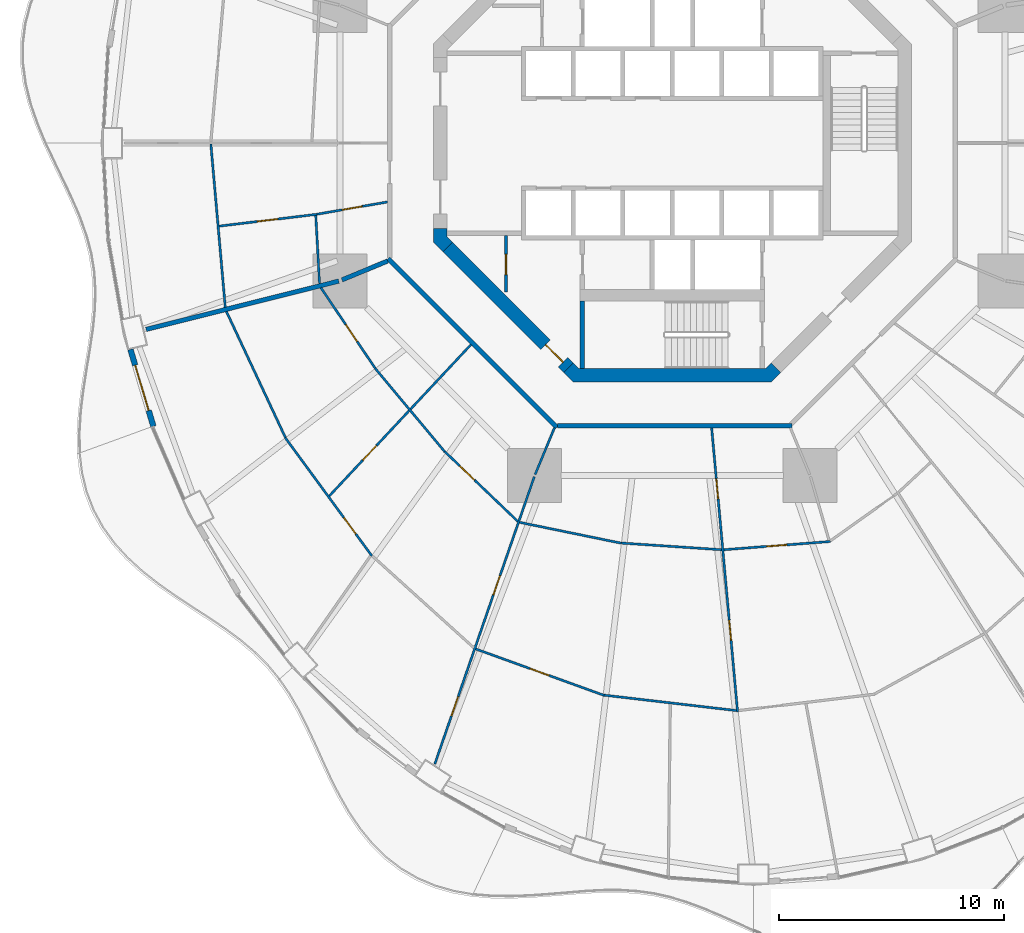
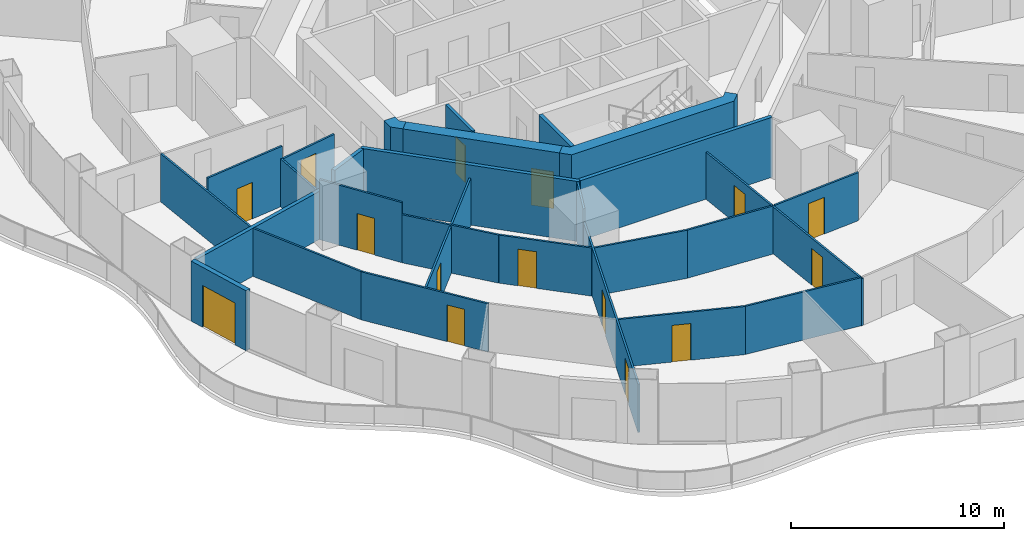
# One storey, part 13 of 21: 28 walls, 15 doors, 15 openings.
"""IFC4 building model written with IfcOpenShell, lengths in metres."""

from ifc_helpers import new_model, si_unit, direction, frame, frame_2d, origin, place, context, subcontext, project, spatial, polyline, rectangle, outline, extrude, material, layer, layer_set, type_object, element, fill, save


model = new_model("IFC4")

# Units and contexts
model_context = context("Model", 3, precision=1e-05, world=origin(), true_north=direction((0.0, 1.0)))
body_context = subcontext(model_context, "Body", "Model", "MODEL_VIEW")
ifc_project = project(units=[si_unit("LENGTHUNIT", "METRE"), si_unit("AREAUNIT", "SQUARE_METRE"), si_unit("VOLUMEUNIT", "CUBIC_METRE"), si_unit("PLANEANGLEUNIT", "RADIAN"), si_unit("MASSUNIT", "GRAM", prefix="KILO")], contexts=[model_context])

# Site, building, storey
site_placement = place(None, origin())
site = spatial("IfcSite", under=ifc_project, at=site_placement, CompositionType="ELEMENT")
building_placement = place(site_placement, origin())
building = spatial("IfcBuilding", under=site, at=building_placement, Name="Nagisa Residences", CompositionType="ELEMENT")
storey_placement = place(building_placement, frame((0.0, 0.0, 60.300048828125)))
storey = spatial("IfcBuildingStorey", under=building, at=storey_placement, Name="L14", CompositionType="ELEMENT", Elevation=60.300048828125)

# Walls
ifc_material_1 = material(Name="Gypsum board on steel studs", Category="steel")
ifc_layer_1 = layer(ifc_material_1, 0.199951171875)
ifc_layer_set_1 = layer_set([ifc_layer_1], Name="Apartment compartment wall EI60 200")
wall_type_1 = type_object("IfcWallType", Name="Apartment compartment wall EI60 200", PredefinedType="PARTITIONING", material=ifc_layer_set_1)
wall_1_placement = place(storey_placement, frame((-12.6572265625, -5.24267578125, 0.0), z_axis=(0.0, 0.0, 1.0), x_axis=(-0.923885664896, -0.382668627144, 0.0)))
element("IfcWall", 1, at=wall_1_placement, inside=storey, type_object=wall_type_1, Name="wall:L14:u04", PredefinedType="PARTITIONING", context=body_context, shape_type="SweptSolid", body=[
    extrude(rectangle(XDim=2.200439453125, YDim=0.199951171875, at=frame_2d((1.10009765625, 0.0))), origin(), (0.0, 0.0, 1.0), 3.43994140625),
])
wall_2_placement = place(storey_placement, frame((-14.83056640625, -6.135009765625, 0.0), z_axis=(0.0, 0.0, 1.0), x_axis=(-0.969884949569, -0.243563512454, 0.0)))
element("IfcWall", 2, at=wall_2_placement, inside=storey, type_object=wall_type_1, Name="wall:L14:u05", PredefinedType="PARTITIONING", context=body_context, shape_type="SweptSolid", body=[
    extrude(rectangle(XDim=8.828857421875, YDim=0.199951171875, at=frame_2d((4.41455078125, 0.0))), origin(), (0.0, 0.0, 1.0), 2.755859375),
])
ifc_material_2 = material(Name="Gypsum board on steel studs", Category="steel")
ifc_layer_2 = layer(ifc_material_2, 0.199951171875)
ifc_layer_set_2 = layer_set([ifc_layer_2], Name="Apartment entry wall EI60 200")
wall_type_2 = type_object("IfcWallType", Name="Apartment entry wall EI60 200", PredefinedType="PARTITIONING", material=ifc_layer_set_2)
wall_3_placement = place(storey_placement, frame((-12.635498046875, -5.1337890625, 0.0), z_axis=(0.0, 0.0, 1.0), x_axis=(0.707106781187, -0.707106781187, 0.0)))
element("IfcWall", 3, at=wall_3_placement, inside=storey, type_object=wall_type_2, Name="wall:L14:u11", PredefinedType="PARTITIONING", context=body_context, shape_type="SweptSolid", body=[
    extrude(rectangle(XDim=10.609130859375, YDim=0.199951171875, at=frame_2d((5.3046875, 0.0))), origin(), (0.0, 0.0, 1.0), 3.43994140625),
])
wall_4_placement = place(storey_placement, frame((-5.1044921875, -12.564697265625, 0.0), z_axis=(0.0, 0.0, 1.0), x_axis=(1.0, 0.0, 0.0)))
element("IfcWall", 4, at=wall_4_placement, inside=storey, type_object=wall_type_2, Name="wall:L14:u12", PredefinedType="PARTITIONING", context=body_context, shape_type="SweptSolid", body=[
    extrude(rectangle(XDim=10.408935546875, YDim=0.199951171875, at=frame_2d((5.20458984375, 0.0))), origin(), (0.0, 0.0, 1.0), 3.43994140625),
])
ifc_material_3 = material(Name="Gypsum board on steel studs", Category="steel")
ifc_layer_3 = layer(ifc_material_3, 0.10009765625)
ifc_layer_set_3 = layer_set([ifc_layer_3], Name="Apartment partition 100")
wall_type_3 = type_object("IfcWallType", Name="Apartment partition 100", PredefinedType="PARTITIONING", material=ifc_layer_set_3)
wall_5_placement = place(storey_placement, frame((-20.518310546875, -0.0498046875, 0.0), z_axis=(0.0, 0.0, 1.0), x_axis=(0.088143415068, -0.996107794558, 0.0)))
element("IfcWall", 5, at=wall_5_placement, inside=storey, type_object=wall_type_3, Name="wall:L14:u55", PredefinedType="PARTITIONING", context=body_context, shape_type="SweptSolid", body=[
    extrude(rectangle(XDim=7.279052734375, YDim=0.10009765625, at=frame_2d((3.6396484375, 0.0))), origin(), (0.0, 0.0, 1.0), 2.755859375),
])

# Wall, opening, door
wall_6_placement = place(storey_placement, frame((-12.663330078125, -2.619384765625, 0.0), z_axis=(0.0, 0.0, 1.0), x_axis=(-0.985220176102, -0.171292745325, 0.0)))
wall_6 = element("IfcWall", 6, at=wall_6_placement, inside=storey, type_object=wall_type_3, Name="wall:L14:u56", PredefinedType="PARTITIONING", context=body_context, shape_type="SweptSolid", body=[
    extrude(rectangle(XDim=3.191162109375, YDim=0.10009765625, at=frame_2d((1.595703125, 0.0))), origin(), (0.0, 0.0, 1.0), 2.68701171875),
])
opening_1_placement = place(wall_6_placement, frame((1.1455078125, 0.0, 0.0)))
opening_1 = element("IfcOpeningElement", 7, at=opening_1_placement, cuts=wall_6, Name="Opening L14-U44", PredefinedType="OPENING", context=body_context, shape_type="SweptSolid", body=[
    extrude(rectangle(XDim=0.89990234375, YDim=2.10009765625, at=frame_2d((0.449951171875, 1.050048828125))), frame((0.0, 0.06005859375, 0.0), z_axis=(0.0, -1.0, 0.0), x_axis=(1.0, 0.0, 0.0)), (0.0, 0.0, 1.0), 0.1201171875),
])
ifc_material_4 = material(Name="Timber door set", Category="wood")
door_type_1 = type_object("IfcDoorType", Name="Apartment door 900x2100", OperationType="NOTDEFINED", PredefinedType="DOOR", material=ifc_material_4)
door_1_placement = place(opening_1_placement, origin())
door_1 = element("IfcDoor", 8, at=door_1_placement, inside=storey, type_object=door_type_1, Name="Door to family bathroom, Apartment 14C", OperationType="SINGLE_SWING_RIGHT", OverallHeight=2.10009765625, OverallWidth=0.89990234375, PredefinedType="DOOR", context=body_context, shape_type="SweptSolid", body=[
    extrude(rectangle(XDim=0.89990234375, YDim=2.10009765625, at=frame_2d((0.449951171875, 1.050048828125))), frame((0.0, 0.02490234375, 0.0), z_axis=(0.0, -1.0, 0.0), x_axis=(1.0, 0.0, 0.0)), (0.0, 0.0, 1.0), 0.050048828125),
])
fill(opening_1, door_1)

wall_7_placement = place(storey_placement, frame((-15.806884765625, -3.16845703125, 0.0), z_axis=(0.0, 0.0, 1.0), x_axis=(-0.992741666002, -0.120266306938, 0.0)))
wall_7 = element("IfcWall", 9, at=wall_7_placement, inside=storey, type_object=wall_type_3, Name="wall:L14:u57", PredefinedType="PARTITIONING", context=body_context, shape_type="SweptSolid", body=[
    extrude(rectangle(XDim=4.37060546875, YDim=0.10009765625, at=frame_2d((2.185302734375, 0.0))), origin(), (0.0, 0.0, 1.0), 3.43994140625),
])
opening_2_placement = place(wall_7_placement, frame((1.76025390625, 0.0, 0.0)))
opening_2 = element("IfcOpeningElement", 10, at=opening_2_placement, cuts=wall_7, Name="Opening L14-U46", PredefinedType="OPENING", context=body_context, shape_type="SweptSolid", body=[
    extrude(rectangle(XDim=0.89990234375, YDim=2.10009765625, at=frame_2d((0.449951171875, 1.050048828125))), frame((0.0, 0.06005859375, 0.0), z_axis=(0.0, -1.0, 0.0), x_axis=(1.0, 0.0, 0.0)), (0.0, 0.0, 1.0), 0.1201171875),
])
door_2_placement = place(opening_2_placement, origin())
door_2 = element("IfcDoor", 11, at=door_2_placement, inside=storey, type_object=door_type_1, Name="Door to family bathroom, Apartment 14C", OperationType="SINGLE_SWING_RIGHT", OverallHeight=2.10009765625, OverallWidth=0.89990234375, PredefinedType="DOOR", context=body_context, shape_type="SweptSolid", body=[
    extrude(rectangle(XDim=0.89990234375, YDim=2.10009765625, at=frame_2d((0.449951171875, 1.050048828125))), frame((0.0, 0.02490234375, 0.0), z_axis=(0.0, -1.0, 0.0), x_axis=(1.0, 0.0, 0.0)), (0.0, 0.0, 1.0), 0.050048828125),
])
fill(opening_2, door_2)

# Wall
wall_8_placement = place(storey_placement, frame((-15.853759765625, -3.224609375, 0.0), z_axis=(0.0, 0.0, 1.0), x_axis=(0.054644199943, -0.998505889523, 0.0)))
element("IfcWall", 12, at=wall_8_placement, inside=storey, type_object=wall_type_3, Name="wall:L14:u58", PredefinedType="PARTITIONING", context=body_context, shape_type="SweptSolid", body=[
    extrude(rectangle(XDim=3.029296875, YDim=0.10009765625, at=frame_2d((1.5146484375, 0.0))), origin(), (0.0, 0.0, 1.0), 2.755859375),
])

# Wall, opening, door
wall_9_placement = place(storey_placement, frame((-15.626953125, -6.43212890625, 0.0), z_axis=(0.0, 0.0, 1.0), x_axis=(0.559112679527, -0.829091678641, 0.0)))
wall_9 = element("IfcWall", 13, at=wall_9_placement, inside=storey, type_object=wall_type_3, Name="wall:L14:u59", PredefinedType="PARTITIONING", context=body_context, shape_type="SweptSolid", body=[
    extrude(rectangle(XDim=4.30810546875, YDim=0.10009765625, at=frame_2d((2.154052734375, 0.0))), origin(), (0.0, 0.0, 1.0), 3.43994140625),
])
opening_3_placement = place(wall_9_placement, frame((1.974853515625, 0.0, 0.0)))
opening_3 = element("IfcOpeningElement", 14, at=opening_3_placement, cuts=wall_9, Name="Opening L14-U26", PredefinedType="OPENING", context=body_context, shape_type="SweptSolid", body=[
    extrude(rectangle(XDim=0.89990234375, YDim=2.10009765625, at=frame_2d((0.449951171875, 1.050048828125))), frame((0.0, 0.06005859375, 0.0), z_axis=(0.0, -1.0, 0.0), x_axis=(1.0, 0.0, 0.0)), (0.0, 0.0, 1.0), 0.1201171875),
])
door_3_placement = place(opening_3_placement, origin())
door_3 = element("IfcDoor", 15, at=door_3_placement, inside=storey, type_object=door_type_1, Name="Door to laundry, Apartment 14A", OperationType="SINGLE_SWING_RIGHT", OverallHeight=2.10009765625, OverallWidth=0.89990234375, PredefinedType="DOOR", context=body_context, shape_type="SweptSolid", body=[
    extrude(rectangle(XDim=0.89990234375, YDim=2.10009765625, at=frame_2d((0.449951171875, 1.050048828125))), frame((0.0, 0.02490234375, 0.0), z_axis=(0.0, -1.0, 0.0), x_axis=(1.0, 0.0, 0.0)), (0.0, 0.0, 1.0), 0.050048828125),
])
fill(opening_3, door_3)

# Walls
wall_10_placement = place(storey_placement, frame((-19.82568359375, -7.49072265625, 0.0), z_axis=(0.0, 0.0, 1.0), x_axis=(0.423926333401, -0.905696673202, 0.0)))
element("IfcWall", 16, at=wall_10_placement, inside=storey, type_object=wall_type_3, Name="wall:L14:u60", PredefinedType="PARTITIONING", context=body_context, shape_type="SweptSolid", body=[
    extrude(rectangle(XDim=6.1875, YDim=0.10009765625, at=frame_2d((3.09375, 0.0))), origin(), (0.0, 0.0, 1.0), 2.755859375),
])
wall_11_placement = place(storey_placement, frame((-13.222412109375, -10.0068359375, 0.0), z_axis=(0.0, 0.0, 1.0), x_axis=(0.64083455704, -0.767679015282, 0.0)))
element("IfcWall", 17, at=wall_11_placement, inside=storey, type_object=wall_type_3, Name="wall:L14:u61", PredefinedType="PARTITIONING", context=body_context, shape_type="SweptSolid", body=[
    extrude(rectangle(XDim=4.8369140625, YDim=0.10009765625, at=frame_2d((2.41845703125, 0.0))), origin(), (0.0, 0.0, 1.0), 2.755859375),
])

# Wall, opening, door
wall_12_placement = place(storey_placement, frame((-17.2109375, -13.099609375, 0.0), z_axis=(0.0, 0.0, 1.0), x_axis=(0.591191311491, -0.806531359104, 0.0)))
wall_12 = element("IfcWall", 18, at=wall_12_placement, inside=storey, type_object=wall_type_3, Name="wall:L14:u62", PredefinedType="PARTITIONING", context=body_context, shape_type="SweptSolid", body=[
    extrude(rectangle(XDim=6.510009765625, YDim=0.10009765625, at=frame_2d((3.2548828125, 0.0))), origin(), (0.0, 0.0, 1.0), 2.755859375),
])
opening_4_placement = place(wall_12_placement, frame((4.407470703125, 0.0, 0.0)))
opening_4 = element("IfcOpeningElement", 19, at=opening_4_placement, cuts=wall_12, Name="Opening L14-U22", PredefinedType="OPENING", context=body_context, shape_type="SweptSolid", body=[
    extrude(rectangle(XDim=0.89990234375, YDim=2.10009765625, at=frame_2d((0.449951171875, 1.050048828125))), frame((0.0, 0.06005859375, 0.0), z_axis=(0.0, -1.0, 0.0), x_axis=(1.0, 0.0, 0.0)), (0.0, 0.0, 1.0), 0.1201171875),
])
door_4_placement = place(opening_4_placement, frame((0.89990234375, 0.0, 0.0), x_axis=(-1.0, 0.0, 0.0)))
door_4 = element("IfcDoor", 20, at=door_4_placement, inside=storey, type_object=door_type_1, Name="Door to family room, Apartment 14A", OperationType="SINGLE_SWING_LEFT", OverallHeight=2.10009765625, OverallWidth=0.89990234375, PredefinedType="DOOR", context=body_context, shape_type="SweptSolid", body=[
    extrude(rectangle(XDim=0.89990234375, YDim=2.10009765625, at=frame_2d((0.449951171875, 1.050048828125))), frame((0.0, 0.02490234375, 0.0), z_axis=(0.0, -1.0, 0.0), x_axis=(1.0, 0.0, 0.0)), (0.0, 0.0, 1.0), 0.050048828125),
])
fill(opening_4, door_4)

wall_13_placement = place(storey_placement, frame((-8.952880859375, -8.95751953125, 0.0), z_axis=(0.0, 0.0, 1.0), x_axis=(-0.683322485948, -0.730116689439, 0.0)))
wall_13 = element("IfcWall", 21, at=wall_13_placement, inside=storey, type_object=wall_type_3, Name="wall:L14:u63", PredefinedType="PARTITIONING", context=body_context, shape_type="SweptSolid", body=[
    extrude(rectangle(XDim=9.218994140625, YDim=0.10009765625, at=frame_2d((4.609375, 0.0))), origin(), (0.0, 0.0, 1.0), 2.68701171875),
])
opening_5_placement = place(wall_13_placement, frame((6.1494140625, 0.0, 0.0)))
opening_5 = element("IfcOpeningElement", 22, at=opening_5_placement, cuts=wall_13, Name="Opening L14-U25", PredefinedType="OPENING", context=body_context, shape_type="SweptSolid", body=[
    extrude(rectangle(XDim=0.89990234375, YDim=2.10009765625, at=frame_2d((0.449951171875, 1.050048828125))), frame((0.0, 0.06005859375, 0.0), z_axis=(0.0, -1.0, 0.0), x_axis=(1.0, 0.0, 0.0)), (0.0, 0.0, 1.0), 0.1201171875),
])
door_5_placement = place(opening_5_placement, frame((0.89990234375, 0.0, 0.0), x_axis=(-1.0, 0.0, 0.0)))
door_5 = element("IfcDoor", 23, at=door_5_placement, inside=storey, type_object=door_type_1, Name="Door to kitchen, Apartment 14A", OperationType="SINGLE_SWING_RIGHT", OverallHeight=2.10009765625, OverallWidth=0.89990234375, PredefinedType="DOOR", context=body_context, shape_type="SweptSolid", body=[
    extrude(rectangle(XDim=0.89990234375, YDim=2.10009765625, at=frame_2d((0.449951171875, 1.050048828125))), frame((0.0, 0.02490234375, 0.0), z_axis=(0.0, -1.0, 0.0), x_axis=(1.0, 0.0, 0.0)), (0.0, 0.0, 1.0), 0.050048828125),
])
fill(opening_5, door_5)

wall_14_placement = place(storey_placement, frame((-10.118896484375, -13.716064453125, 0.0), z_axis=(0.0, 0.0, 1.0), x_axis=(0.722762371977, -0.691096631199, 0.0)))
wall_14 = element("IfcWall", 24, at=wall_14_placement, inside=storey, type_object=wall_type_3, Name="wall:L14:u64", PredefinedType="PARTITIONING", context=body_context, shape_type="SweptSolid", body=[
    extrude(rectangle(XDim=4.487060546875, YDim=0.10009765625, at=frame_2d((2.24365234375, 0.0))), origin(), (0.0, 0.0, 1.0), 2.755859375),
])
opening_6_placement = place(wall_14_placement, frame((0.927490234375, 0.0, 0.0)))
opening_6 = element("IfcOpeningElement", 25, at=opening_6_placement, cuts=wall_14, Name="Opening L14-U24", PredefinedType="OPENING", context=body_context, shape_type="SweptSolid", body=[
    extrude(rectangle(XDim=0.89990234375, YDim=2.10009765625, at=frame_2d((0.449951171875, 1.050048828125))), frame((0.0, 0.06005859375, 0.0), z_axis=(0.0, -1.0, 0.0), x_axis=(1.0, 0.0, 0.0)), (0.0, 0.0, 1.0), 0.1201171875),
])
door_6_placement = place(opening_6_placement, origin())
door_6 = element("IfcDoor", 26, at=door_6_placement, inside=storey, type_object=door_type_1, Name="Door to store, Apartment 14A", OperationType="SINGLE_SWING_RIGHT", OverallHeight=2.10009765625, OverallWidth=0.89990234375, PredefinedType="DOOR", context=body_context, shape_type="SweptSolid", body=[
    extrude(rectangle(XDim=0.89990234375, YDim=2.10009765625, at=frame_2d((0.449951171875, 1.050048828125))), frame((0.0, 0.02490234375, 0.0), z_axis=(0.0, -1.0, 0.0), x_axis=(1.0, 0.0, 0.0)), (0.0, 0.0, 1.0), 0.050048828125),
])
fill(opening_6, door_6)

# Wall
wall_15_placement = place(storey_placement, frame((-5.24267578125, -12.6572265625, 0.0), z_axis=(0.0, 0.0, 1.0), x_axis=(-0.382719158442, -0.923864733477, 0.0)))
element("IfcWall", 27, at=wall_15_placement, inside=storey, type_object=wall_type_3, Name="wall:L14:u67", PredefinedType="PARTITIONING", context=body_context, shape_type="SweptSolid", body=[
    extrude(rectangle(XDim=2.25, YDim=0.10009765625, at=frame_2d((1.125, 0.0))), origin(), (0.0, 0.0, 1.0), 3.43994140625),
])

# Wall, openings, doors
wall_16_placement = place(storey_placement, frame((-6.139404296875, -14.829345703125, 0.0), z_axis=(0.0, 0.0, 1.0), x_axis=(-0.327178799566, -0.944962450637, 0.0)))
wall_16 = element("IfcWall", 28, at=wall_16_placement, inside=storey, type_object=wall_type_3, Name="wall:L14:u68", PredefinedType="PARTITIONING", context=body_context, shape_type="SweptSolid", body=[
    extrude(rectangle(XDim=13.517333984375, YDim=0.10009765625, at=frame_2d((6.7587890625, 0.0))), origin(), (0.0, 0.0, 1.0), 2.755859375),
])
opening_7_placement = place(wall_16_placement, frame((4.665283203125, 0.0, 0.0)))
opening_7 = element("IfcOpeningElement", 29, at=opening_7_placement, cuts=wall_16, Name="Opening L14-U21", PredefinedType="OPENING", context=body_context, shape_type="SweptSolid", body=[
    extrude(rectangle(XDim=0.89990234375, YDim=2.10009765625, at=frame_2d((0.449951171875, 1.050048828125))), frame((0.0, 0.06005859375, 0.0), z_axis=(0.0, -1.0, 0.0), x_axis=(1.0, 0.0, 0.0)), (0.0, 0.0, 1.0), 0.1201171875),
])
opening_8_placement = place(wall_16_placement, frame((10.35400390625, 0.0, 0.0)))
opening_8 = element("IfcOpeningElement", 30, at=opening_8_placement, cuts=wall_16, Name="Opening L14-U23", PredefinedType="OPENING", context=body_context, shape_type="SweptSolid", body=[
    extrude(rectangle(XDim=0.89990234375, YDim=2.10009765625, at=frame_2d((0.449951171875, 1.050048828125))), frame((0.0, 0.06005859375, 0.0), z_axis=(0.0, -1.0, 0.0), x_axis=(1.0, 0.0, 0.0)), (0.0, 0.0, 1.0), 0.1201171875),
])
door_7_placement = place(opening_7_placement, frame((0.89990234375, 0.0, 0.0), x_axis=(-1.0, 0.0, 0.0)))
door_7 = element("IfcDoor", 31, at=door_7_placement, inside=storey, type_object=door_type_1, Name="Door to dining room, Apartment 14A", OperationType="SINGLE_SWING_RIGHT", OverallHeight=2.10009765625, OverallWidth=0.89990234375, PredefinedType="DOOR", context=body_context, shape_type="SweptSolid", body=[
    extrude(rectangle(XDim=0.89990234375, YDim=2.10009765625, at=frame_2d((0.449951171875, 1.050048828125))), frame((0.0, 0.02490234375, 0.0), z_axis=(0.0, -1.0, 0.0), x_axis=(1.0, 0.0, 0.0)), (0.0, 0.0, 1.0), 0.050048828125),
])
fill(opening_7, door_7)
door_8_placement = place(opening_8_placement, frame((0.89990234375, 0.0, 0.0), x_axis=(-1.0, 0.0, 0.0)))
door_8 = element("IfcDoor", 32, at=door_8_placement, inside=storey, type_object=door_type_1, Name="Door to master bedroom, Apartment 14A", OperationType="SINGLE_SWING_RIGHT", OverallHeight=2.10009765625, OverallWidth=0.89990234375, PredefinedType="DOOR", context=body_context, shape_type="SweptSolid", body=[
    extrude(rectangle(XDim=0.89990234375, YDim=2.10009765625, at=frame_2d((0.449951171875, 1.050048828125))), frame((0.0, 0.02490234375, 0.0), z_axis=(0.0, -1.0, 0.0), x_axis=(1.0, 0.0, 0.0)), (0.0, 0.0, 1.0), 0.050048828125),
])
fill(opening_8, door_8)

# Wall
wall_17_placement = place(storey_placement, frame((-6.79052734375, -16.861572265625, 0.0), z_axis=(0.0, 0.0, 1.0), x_axis=(0.979587203416, -0.2010196779, 0.0)))
element("IfcWall", 33, at=wall_17_placement, inside=storey, type_object=wall_type_3, Name="wall:L14:u69", PredefinedType="PARTITIONING", context=body_context, shape_type="SweptSolid", body=[
    extrude(rectangle(XDim=4.61279296875, YDim=0.10009765625, at=frame_2d((2.306396484375, 0.0))), origin(), (0.0, 0.0, 1.0), 2.755859375),
])

# Wall, opening, door
wall_18_placement = place(storey_placement, frame((-8.7392578125, -22.4912109375, 0.0), z_axis=(0.0, 0.0, 1.0), x_axis=(0.940401691072, -0.340065669288, 0.0)))
wall_18 = element("IfcWall", 34, at=wall_18_placement, inside=storey, type_object=wall_type_3, Name="wall:L14:u70", PredefinedType="PARTITIONING", context=body_context, shape_type="SweptSolid", body=[
    extrude(rectangle(XDim=6.067138671875, YDim=0.10009765625, at=frame_2d((3.03369140625, 0.0))), origin(), (0.0, 0.0, 1.0), 2.755859375),
])
opening_9_placement = place(wall_18_placement, frame((2.55859375, 0.0, 0.0)))
opening_9 = element("IfcOpeningElement", 35, at=opening_9_placement, cuts=wall_18, Name="Opening L14-U19", PredefinedType="OPENING", context=body_context, shape_type="SweptSolid", body=[
    extrude(rectangle(XDim=0.89990234375, YDim=2.10009765625, at=frame_2d((0.449951171875, 1.050048828125))), frame((0.0, 0.06005859375, 0.0), z_axis=(0.0, -1.0, 0.0), x_axis=(1.0, 0.0, 0.0)), (0.0, 0.0, 1.0), 0.1201171875),
])
door_9_placement = place(opening_9_placement, frame((0.89990234375, 0.0, 0.0), x_axis=(-1.0, 0.0, 0.0)))
door_9 = element("IfcDoor", 36, at=door_9_placement, inside=storey, type_object=door_type_1, Name="Door to family room, Apartment 14A", OperationType="SINGLE_SWING_RIGHT", OverallHeight=2.10009765625, OverallWidth=0.89990234375, PredefinedType="DOOR", context=body_context, shape_type="SweptSolid", body=[
    extrude(rectangle(XDim=0.89990234375, YDim=2.10009765625, at=frame_2d((0.449951171875, 1.050048828125))), frame((0.0, 0.02490234375, 0.0), z_axis=(0.0, -1.0, 0.0), x_axis=(1.0, 0.0, 0.0)), (0.0, 0.0, 1.0), 0.050048828125),
])
fill(opening_9, door_9)

# Walls
wall_19_placement = place(storey_placement, frame((-2.27099609375, -17.781982421875, 0.0), z_axis=(0.0, 0.0, 1.0), x_axis=(0.997791437766, -0.066424744789, 0.0)))
element("IfcWall", 37, at=wall_19_placement, inside=storey, type_object=wall_type_3, Name="wall:L14:u71", PredefinedType="PARTITIONING", context=body_context, shape_type="SweptSolid", body=[
    extrude(rectangle(XDim=4.46923828125, YDim=0.10009765625, at=frame_2d((2.234619140625, 0.0))), origin(), (0.0, 0.0, 1.0), 2.755859375),
])
wall_20_placement = place(storey_placement, frame((-3.03125, -24.543212890625, 0.0), z_axis=(0.0, 0.0, 1.0), x_axis=(0.993255612046, -0.115945198862, 0.0)))
element("IfcWall", 38, at=wall_20_placement, inside=storey, type_object=wall_type_3, Name="wall:L14:u72", PredefinedType="PARTITIONING", context=body_context, shape_type="SweptSolid", body=[
    extrude(rectangle(XDim=5.91259765625, YDim=0.10009765625, at=frame_2d((2.956298828125, 0.0))), origin(), (0.0, 0.0, 1.0), 2.755859375),
])

# Wall, openings, doors
wall_21_placement = place(storey_placement, frame((1.743896484375, -12.664306640625, 0.0), z_axis=(0.0, 0.0, 1.0), x_axis=(0.090893569001, -0.995860612292, 0.0)))
wall_21 = element("IfcWall", 39, at=wall_21_placement, inside=storey, type_object=wall_type_3, Name="wall:L14:u74", PredefinedType="PARTITIONING", context=body_context, shape_type="SweptSolid", body=[
    extrude(rectangle(XDim=12.672607421875, YDim=0.10009765625, at=frame_2d((6.33642578125, 0.0))), origin(), (0.0, 0.0, 1.0), 2.68701171875),
])
opening_10_placement = place(wall_21_placement, frame((8.58154296875, 0.0, 0.0)))
opening_10 = element("IfcOpeningElement", 40, at=opening_10_placement, cuts=wall_21, Name="Opening L14-U18", PredefinedType="OPENING", context=body_context, shape_type="SweptSolid", body=[
    extrude(rectangle(XDim=0.89990234375, YDim=2.10009765625, at=frame_2d((0.449951171875, 1.050048828125))), frame((0.0, 0.06005859375, 0.0), z_axis=(0.0, -1.0, 0.0), x_axis=(1.0, 0.0, 0.0)), (0.0, 0.0, 1.0), 0.1201171875),
])
opening_11_placement = place(wall_21_placement, frame((2.270263671875, 0.0, 0.0)))
opening_11 = element("IfcOpeningElement", 41, at=opening_11_placement, cuts=wall_21, Name="Opening L14-U20", PredefinedType="OPENING", context=body_context, shape_type="SweptSolid", body=[
    extrude(rectangle(XDim=0.89990234375, YDim=2.10009765625, at=frame_2d((0.449951171875, 1.050048828125))), frame((0.0, 0.06005859375, 0.0), z_axis=(0.0, -1.0, 0.0), x_axis=(1.0, 0.0, 0.0)), (0.0, 0.0, 1.0), 0.1201171875),
])
door_10_placement = place(opening_10_placement, frame((0.89990234375, 0.0, 0.0), x_axis=(-1.0, 0.0, 0.0)))
door_10 = element("IfcDoor", 42, at=door_10_placement, inside=storey, type_object=door_type_1, Name="Door to family room, Apartment 14A", OperationType="SINGLE_SWING_LEFT", OverallHeight=2.10009765625, OverallWidth=0.89990234375, PredefinedType="DOOR", context=body_context, shape_type="SweptSolid", body=[
    extrude(rectangle(XDim=0.89990234375, YDim=2.10009765625, at=frame_2d((0.449951171875, 1.050048828125))), frame((0.0, 0.02490234375, 0.0), z_axis=(0.0, -1.0, 0.0), x_axis=(1.0, 0.0, 0.0)), (0.0, 0.0, 1.0), 0.050048828125),
])
fill(opening_10, door_10)
door_11_placement = place(opening_11_placement, frame((0.89990234375, 0.0, 0.0), x_axis=(-1.0, 0.0, 0.0)))
door_11 = element("IfcDoor", 43, at=door_11_placement, inside=storey, type_object=door_type_1, Name="Door to store, Apartment 14A", OperationType="SINGLE_SWING_LEFT", OverallHeight=2.10009765625, OverallWidth=0.89990234375, PredefinedType="DOOR", context=body_context, shape_type="SweptSolid", body=[
    extrude(rectangle(XDim=0.89990234375, YDim=2.10009765625, at=frame_2d((0.449951171875, 1.050048828125))), frame((0.0, 0.02490234375, 0.0), z_axis=(0.0, -1.0, 0.0), x_axis=(1.0, 0.0, 0.0)), (0.0, 0.0, 1.0), 0.050048828125),
])
fill(opening_11, door_11)

# Wall, opening, door
wall_22_placement = place(storey_placement, frame((2.288330078125, -18.078369140625, 0.0), z_axis=(0.0, 0.0, 1.0), x_axis=(0.997016297228, 0.077191340583, 0.0)))
wall_22 = element("IfcWall", 44, at=wall_22_placement, inside=storey, type_object=wall_type_3, Name="wall:L14:u75", PredefinedType="PARTITIONING", context=body_context, shape_type="SweptSolid", body=[
    extrude(rectangle(XDim=4.753662109375, YDim=0.10009765625, at=frame_2d((2.376953125, 0.0))), origin(), (0.0, 0.0, 1.0), 2.755859375),
])
opening_12_placement = place(wall_22_placement, frame((1.90185546875, 0.0, 0.0)))
opening_12 = element("IfcOpeningElement", 45, at=opening_12_placement, cuts=wall_22, Name="Opening L14-U17", PredefinedType="OPENING", context=body_context, shape_type="SweptSolid", body=[
    extrude(rectangle(XDim=0.89990234375, YDim=2.10009765625, at=frame_2d((0.449951171875, 1.050048828125))), frame((0.0, 0.06005859375, 0.0), z_axis=(0.0, -1.0, 0.0), x_axis=(1.0, 0.0, 0.0)), (0.0, 0.0, 1.0), 0.1201171875),
])
door_12_placement = place(opening_12_placement, origin())
door_12 = element("IfcDoor", 46, at=door_12_placement, inside=storey, type_object=door_type_1, Name="Door to laundry, Apartment 14A", OperationType="SINGLE_SWING_LEFT", OverallHeight=2.10009765625, OverallWidth=0.89990234375, PredefinedType="DOOR", context=body_context, shape_type="SweptSolid", body=[
    extrude(rectangle(XDim=0.89990234375, YDim=2.10009765625, at=frame_2d((0.449951171875, 1.050048828125))), frame((0.0, 0.02490234375, 0.0), z_axis=(0.0, -1.0, 0.0), x_axis=(1.0, 0.0, 0.0)), (0.0, 0.0, 1.0), 0.050048828125),
])
fill(opening_12, door_12)

ifc_material_5 = material(Name="Precast concrete C40/50", Category="concrete")
ifc_layer_4 = layer(ifc_material_5, 0.25)
ifc_layer_set_4 = layer_set([ifc_layer_4], Name="BALCONY DOOR WALL 250")
wall_type_4 = type_object("IfcWallType", Name="BALCONY DOOR WALL 250", PredefinedType="SOLIDWALL", material=ifc_layer_set_4)
wall_23_placement = place(storey_placement, frame((-23.07275390625, -12.5927734375, 0.0), z_axis=(0.0, 0.0, 1.0), x_axis=(-0.285871309426, 0.958268018065, 0.0)))
wall_23 = element("IfcWall", 47, at=wall_23_placement, inside=storey, type_object=wall_type_4, Name="wall:L14:bay26", PredefinedType="SOLIDWALL", context=body_context, shape_type="SweptSolid", body=[
    extrude(rectangle(XDim=3.5654296875, YDim=0.25, at=frame_2d((1.78271484375, 0.0))), origin(), (0.0, 0.0, 1.0), 3.43994140625),
])
opening_13_placement = place(wall_23_placement, frame((0.732666015625, 0.0, 0.0)))
opening_13 = element("IfcOpeningElement", 48, at=opening_13_placement, cuts=wall_23, Name="Opening BD-L14-09", PredefinedType="OPENING", context=body_context, shape_type="SweptSolid", body=[
    extrude(rectangle(XDim=2.10009765625, YDim=2.39990234375, at=frame_2d((1.050048828125, 1.199951171875))), frame((0.0, 0.135009765625, 0.0), z_axis=(0.0, -1.0, 0.0), x_axis=(1.0, 0.0, 0.0)), (0.0, 0.0, 1.0), 0.27001953125),
])
ifc_material_6 = material(Name="Aluminium and clear glass", Category="aluminium")
door_type_2 = type_object("IfcDoorType", Name="BALCONY SLIDING DOOR 2100x2400", OperationType="SLIDING_TO_LEFT", PredefinedType="DOOR", material=ifc_material_6)
door_13_placement = place(opening_13_placement, origin())
door_13 = element("IfcDoor", 49, at=door_13_placement, inside=storey, type_object=door_type_2, Name="door:L14:bay26", OperationType="SLIDING_TO_LEFT", OverallHeight=2.39990234375, OverallWidth=2.10009765625, PredefinedType="DOOR", context=body_context, shape_type="SweptSolid", body=[
    extrude(rectangle(XDim=2.10009765625, YDim=2.39990234375, at=frame_2d((1.050048828125, 1.199951171875))), frame((0.0, 0.02490234375, 0.0), z_axis=(0.0, -1.0, 0.0), x_axis=(1.0, 0.0, 0.0)), (0.0, 0.0, 1.0), 0.050048828125),
])
fill(opening_13, door_13)

ifc_material_7 = material(Name="Gypsum board on steel studs", Category="steel")
ifc_layer_5 = layer(ifc_material_7, 0.14990234375)
ifc_layer_set_5 = layer_set([ifc_layer_5], Name="Core partition 150")
wall_type_5 = type_object("IfcWallType", Name="Core partition 150", PredefinedType="PARTITIONING", material=ifc_layer_set_5)
wall_24_placement = place(storey_placement, frame((-7.39990234375, -6.626953125, 0.0), z_axis=(0.0, 0.0, 1.0), x_axis=(0.0, 1.0, 0.0)))
wall_24 = element("IfcWall", 50, at=wall_24_placement, inside=storey, type_object=wall_type_5, Name="wall:L14:SWp", PredefinedType="PARTITIONING", context=body_context, shape_type="SweptSolid", body=[
    extrude(rectangle(XDim=2.52685546875, YDim=0.14990234375, at=frame_2d((1.263427734375, 0.0))), origin(), (0.0, 0.0, 1.0), 3.43994140625),
])
opening_14_placement = place(wall_24_placement, frame((0.77587890625, 0.0, 0.0)))
opening_14 = element("IfcOpeningElement", 51, at=opening_14_placement, cuts=wall_24, Name="Opening L14-C14", PredefinedType="OPENING", context=body_context, shape_type="SweptSolid", body=[
    extrude(rectangle(XDim=0.89990234375, YDim=2.10009765625, at=frame_2d((0.449951171875, 1.050048828125))), frame((0.0, 0.0849609375, 0.0), z_axis=(0.0, -1.0, 0.0), x_axis=(1.0, 0.0, 0.0)), (0.0, 0.0, 1.0), 0.169921875),
])
ifc_material_8 = material(Name="Steel fire door", Category="steel")
door_type_3 = type_object("IfcDoorType", Name="Fire door EI30 900x2100 single swing", OperationType="NOTDEFINED", PredefinedType="DOOR", material=ifc_material_8)
door_14_placement = place(opening_14_placement, origin())
door_14 = element("IfcDoor", 52, at=door_14_placement, inside=storey, type_object=door_type_3, Name="Telecom room door L14", OperationType="SINGLE_SWING_RIGHT", OverallHeight=2.10009765625, OverallWidth=0.89990234375, PredefinedType="DOOR", context=body_context, shape_type="SweptSolid", body=[
    extrude(rectangle(XDim=0.89990234375, YDim=2.10009765625, at=frame_2d((0.449951171875, 1.050048828125))), frame((0.0, 0.02490234375, 0.0), z_axis=(0.0, -1.0, 0.0), x_axis=(1.0, 0.0, 0.0)), (0.0, 0.0, 1.0), 0.050048828125),
])
fill(opening_14, door_14)

ifc_material_9 = material(Name="Concrete C60", Category="concrete")
ifc_layer_6 = layer(ifc_material_9, 0.60009765625)
ifc_layer_set_6 = layer_set([ifc_layer_6], Name="Core shear wall 600")
wall_type_6 = type_object("IfcWallType", Name="Core shear wall 600", PredefinedType="SHEAR", material=ifc_layer_set_6)
wall_25_placement = place(storey_placement, frame((-9.98828125, -4.613037109375, 0.0), z_axis=(0.0, 0.0, 1.0), x_axis=(0.707106781187, -0.707106781187, 0.0)))
wall_25 = element("IfcWall", 53, at=wall_25_placement, inside=storey, type_object=wall_type_6, Name="wall:L14:core:flat5", PredefinedType="SHEAR", context=body_context, shape_type="SweptSolid", body=[
    extrude(rectangle(XDim=7.601806640625, YDim=0.60009765625, at=frame_2d((3.80078125, 0.0))), origin(), (0.0, 0.0, 1.0), 3.43994140625),
])
opening_15_placement = place(wall_25_placement, frame((6.15087890625, 0.0, 0.0)))
opening_15 = element("IfcOpeningElement", 54, at=opening_15_placement, cuts=wall_25, Name="Opening L14-C21", PredefinedType="OPENING", context=body_context, shape_type="SweptSolid", body=[
    extrude(rectangle(XDim=1.10009765625, YDim=2.10009765625, at=frame_2d((0.550048828125, 1.050048828125))), frame((0.0, 0.31005859375, 0.0), z_axis=(0.0, -1.0, 0.0), x_axis=(1.0, 0.0, 0.0)), (0.0, 0.0, 1.0), 0.6201171875),
])
ifc_material_10 = material(Name="Steel fire door", Category="steel")
door_type_4 = type_object("IfcDoorType", Name="Fire door EI60 1100x2100 single swing", OperationType="NOTDEFINED", PredefinedType="DOOR", material=ifc_material_10)
door_15_placement = place(opening_15_placement, origin())
door_15 = element("IfcDoor", 55, at=door_15_placement, inside=storey, type_object=door_type_4, Name="Housekeeping lobby door L14", OperationType="SINGLE_SWING_RIGHT", OverallHeight=2.10009765625, OverallWidth=1.10009765625, PredefinedType="DOOR", context=body_context, shape_type="SweptSolid", body=[
    extrude(rectangle(XDim=1.10009765625, YDim=2.10009765625, at=frame_2d((0.550048828125, 1.050048828125))), frame((0.0, 0.02490234375, 0.0), z_axis=(0.0, -1.0, 0.0), x_axis=(1.0, 0.0, 0.0)), (0.0, 0.0, 1.0), 0.050048828125),
])
fill(opening_15, door_15)

# Walls
wall_26_placement = place(storey_placement, origin())
element("IfcWall", 56, at=wall_26_placement, inside=storey, type_object=wall_type_6, Name="wall:L14:core:pier4", PredefinedType="SHEAR", context=body_context, shape_type="SweptSolid", body=[
    extrude(outline(polyline([(-10.62451171875, -3.80078125), (-10.024658203125, -3.80078125), (-10.024658203125, -4.15234375), (-9.776123046875, -4.40087890625), (-10.200439453125, -4.8251953125), (-10.62451171875, -4.40087890625), (-10.62451171875, -3.80078125)])), origin(), (0.0, 0.0, 1.0), 3.43994140625),
])
wall_27_placement = place(storey_placement, origin())
element("IfcWall", 57, at=wall_27_placement, inside=storey, type_object=wall_type_6, Name="wall:L14:core:flat6", PredefinedType="SHEAR", context=body_context, shape_type="SweptSolid", body=[
    extrude(outline(polyline([(-4.15234375, -10.024658203125), (4.15234375, -10.024658203125), (4.40087890625, -9.776123046875), (4.8251953125, -10.200439453125), (4.40087890625, -10.62451171875), (-4.40087890625, -10.62451171875), (-4.8251953125, -10.200439453125), (-4.40087890625, -9.776123046875), (-4.15234375, -10.024658203125)])), origin(), (0.0, 0.0, 1.0), 3.43994140625),
])
ifc_material_11 = material(Name="Concrete C60", Category="concrete")
ifc_layer_7 = layer(ifc_material_11, 0.199951171875)
ifc_layer_set_7 = layer_set([ifc_layer_7], Name="Stair enclosure wall 200")
wall_type_7 = type_object("IfcWallType", Name="Stair enclosure wall 200", PredefinedType="SOLIDWALL", material=ifc_layer_set_7)
wall_28_placement = place(storey_placement, origin())
element("IfcWall", 58, at=wall_28_placement, inside=storey, type_object=wall_type_7, Name="wall:L14:SS_w", PredefinedType="SOLIDWALL", context=body_context, shape_type="SweptSolid", body=[
    extrude(outline(polyline([(-3.89990234375, -10.024658203125), (-4.10009765625, -10.024658203125), (-4.10009765625, -7.024658203125), (-3.89990234375, -7.024658203125), (-3.89990234375, -10.024658203125)])), origin(), (0.0, 0.0, 1.0), 3.43994140625),
])

save(model, "model.ifc")
